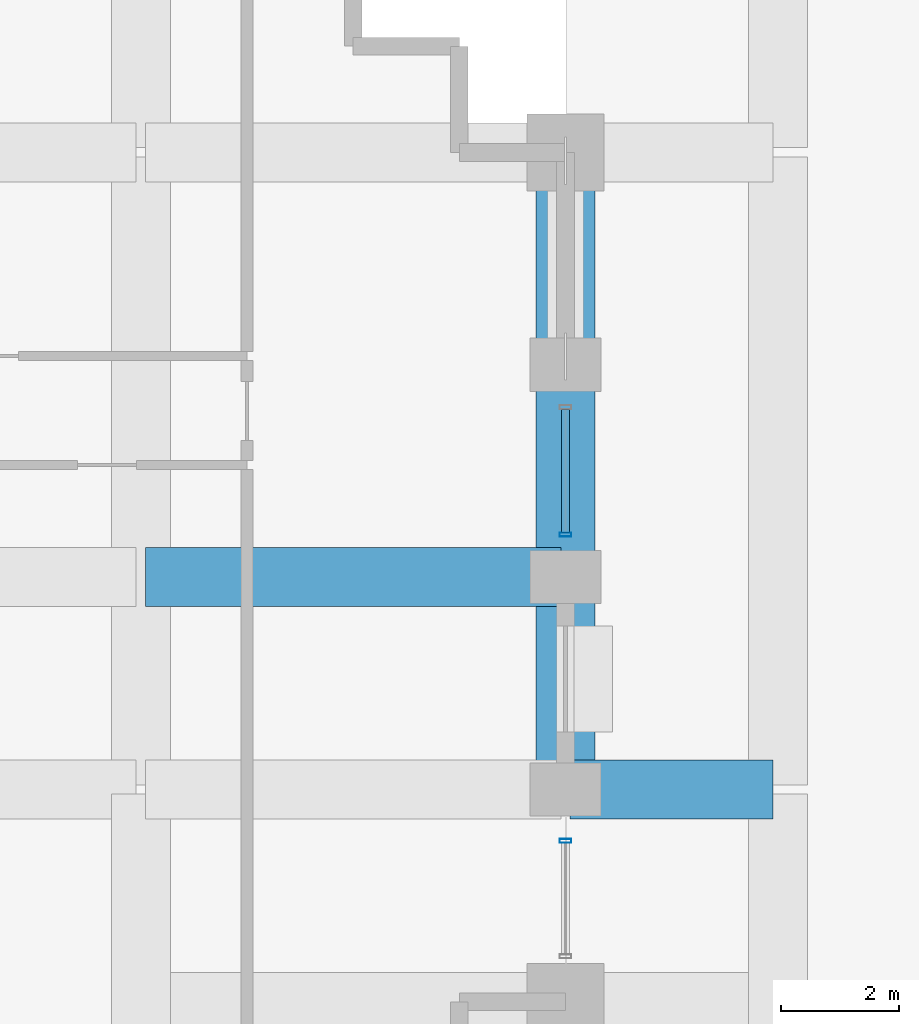
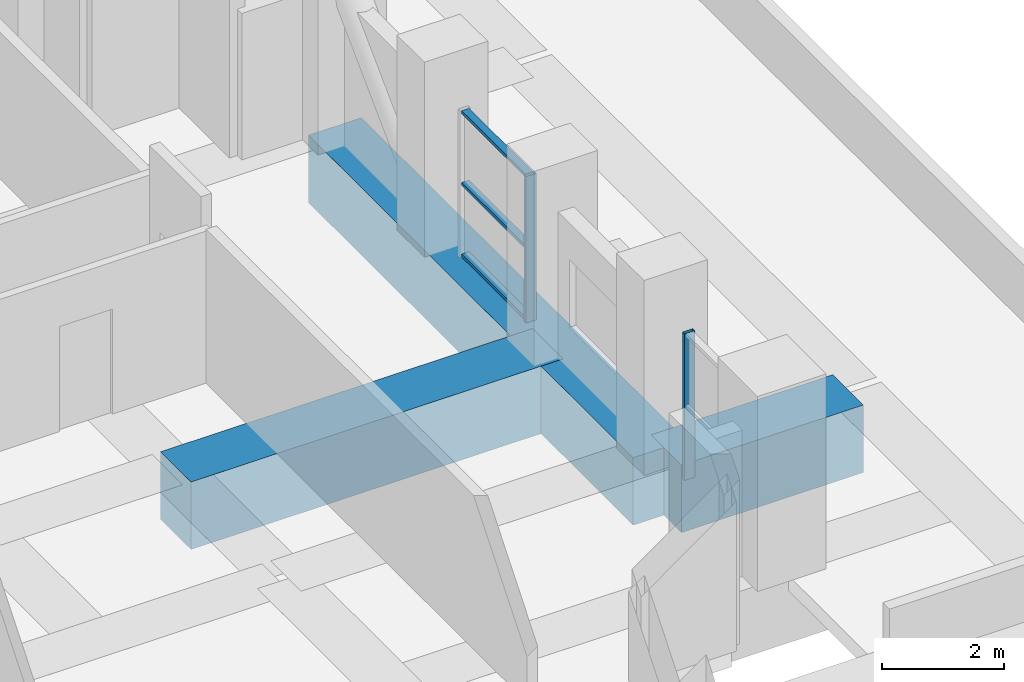
# One storey, part 15 of 39: 5 members, 3 beams, 2 elements without a shape of their own.
"""IFC4 building model written with IfcOpenShell, lengths in metres."""

from ifc_helpers import new_model, si_unit, direction, frame, origin, origin_2d, place, context, subcontext, project, spatial, rectangle, hollow_rectangle, extrude, material, layer, layer_set, material_profile, profile_set, type_object, element, aggregate, save


model = new_model("IFC4")

# Units and contexts
model_context = context("Model", 3, precision=1e-05, world=origin(), true_north=direction((0.0, 1.0)))
body_context = subcontext(model_context, "Body", "Model", "MODEL_VIEW")
ifc_project = project(units=[si_unit("LENGTHUNIT", "METRE"), si_unit("AREAUNIT", "SQUARE_METRE"), si_unit("VOLUMEUNIT", "CUBIC_METRE"), si_unit("PLANEANGLEUNIT", "RADIAN"), si_unit("MASSUNIT", "GRAM", prefix="KILO")], contexts=[model_context])

# Site, building, storey
site_placement = place(None, origin())
site = spatial("IfcSite", under=ifc_project, at=site_placement, CompositionType="ELEMENT")
building_placement = place(site_placement, origin())
building = spatial("IfcBuilding", under=site, at=building_placement, Name="Solnavia Interchange Tower", CompositionType="ELEMENT")
storey_placement = place(building_placement, frame((0.0, 0.0, 24.0)))
storey = spatial("IfcBuildingStorey", under=building, at=storey_placement, Name="L05", CompositionType="ELEMENT", Elevation=24.0)

# Beams
ifc_material_1 = material(Name="Concrete C60/75", Category="concrete")
ifc_material_profile_1 = material_profile(ifc_material_1, rectangle(XDim=1.0, YDim=1.35009765625, at=origin_2d()), Name="RC 1000x1350")
ifc_profile_set_1 = profile_set([ifc_material_profile_1], Name="Concrete C60/75")
beam_type = type_object("IfcBeamType", Name="Beam-Transfer-RC1000x1350", PredefinedType="BEAM", material=ifc_profile_set_1)
beam_1_placement = place(storey_placement, frame((61.280029296875, 10.800048828125, -0.675048828125), z_axis=(1.0, 0.0, 0.0), x_axis=(0.0, 1.0, 0.0)))
element("IfcBeam", 1, at=beam_1_placement, inside=storey, type_object=beam_type, Name="TRB-L05-12 East-south primary transfer girder", PredefinedType="BEAM", context=body_context, shape_type="SweptSolid", body=[
    extrude(rectangle(XDim=1.0, YDim=1.35009765625, at=origin_2d()), origin(), (0.0, 0.0, 1.0), 3.43994140625),
])
beam_2_placement = place(storey_placement, frame((61.199951171875, 10.8798828125, -0.675048828125), z_axis=(0.0, 1.0, 0.0), x_axis=(-1.0, 0.0, 0.0)))
element("IfcBeam", 2, at=beam_2_placement, inside=storey, type_object=beam_type, Name="TRB-L05-55 East tip N-S primary transfer girder", PredefinedType="BEAM", context=body_context, shape_type="SweptSolid", body=[
    extrude(rectangle(XDim=1.0, YDim=1.35009765625, at=origin_2d()), origin(), (0.0, 0.0, 1.0), 10.64013671875),
])
beam_3_placement = place(storey_placement, frame((54.080078125, 14.39990234375, -0.675048828125), z_axis=(1.0, 0.0, 0.0), x_axis=(0.0, 1.0, 0.0)))
element("IfcBeam", 3, at=beam_3_placement, inside=storey, type_object=beam_type, Name="TRB-L05-72 East spine transfer girder", PredefinedType="BEAM", context=body_context, shape_type="SweptSolid", body=[
    extrude(rectangle(XDim=1.0, YDim=1.35009765625, at=origin_2d()), origin(), (0.0, 0.0, 1.0), 7.0400390625),
])

# Curtain wall, member
ifc_material_2 = material(Name="Aluminium Alloy 6063-T6", Category="aluminium")
ifc_layer = layer(ifc_material_2, 0.219970703125)
ifc_layer_set = layer_set([ifc_layer], Name="Aluminium Alloy 6063-T6")
curtain_wall_type = type_object("IfcCurtainWallType", Name="CurtainWall-Tower-CTW3", PredefinedType="NOTDEFINED", material=ifc_layer_set)
curtain_wall_1_placement = place(storey_placement, origin())
curtain_wall_1 = element("IfcCurtainWall", 4, at=curtain_wall_1_placement, inside=storey, type_object=curtain_wall_type, Name="CTW-L05-S16 CTW-3 curtain wall", PredefinedType="NOTDEFINED")
ifc_material_profile_2 = material_profile(ifc_material_2, hollow_rectangle(XDim=0.070068359375, YDim=0.199951171875, WallThickness=0.0048828125, at=origin_2d()), Name="ALU 200x70x5")
ifc_profile_set_2 = profile_set([ifc_material_profile_2], Name="Aluminium Alloy 6063-T6")
member_type_1 = type_object("IfcMemberType", Name="CW-Mullion-CWM-3", PredefinedType="MULLION", material=ifc_profile_set_2)
member_1_placement = place(storey_placement, frame((61.199951171875, 9.929931640625, 0.0), z_axis=(0.0, 0.0, 1.0), x_axis=(0.0, 1.0, 0.0)))
member_1 = element("IfcMember", 5, at=member_1_placement, type_object=member_type_1, Name="CTW-3 mullion 2", PredefinedType="MULLION", context=body_context, shape_type="SweptSolid", body=[
    extrude(hollow_rectangle(XDim=0.070068359375, YDim=0.199951171875, WallThickness=0.0048828125, at=origin_2d()), origin(), (0.0, 0.0, 1.0), 2.929931640625),
])
aggregate(curtain_wall_1, [member_1])

# Curtain wall, members
curtain_wall_2_placement = place(storey_placement, origin())
curtain_wall_2 = element("IfcCurtainWall", 6, at=curtain_wall_2_placement, inside=storey, type_object=curtain_wall_type, Name="CTW-L05-S18 CTW-3 curtain wall", PredefinedType="NOTDEFINED")
member_2_placement = place(storey_placement, frame((61.199951171875, 15.1201171875, 0.0), z_axis=(0.0, 0.0, 1.0), x_axis=(0.0, 1.0, 0.0)))
member_2 = element("IfcMember", 7, at=member_2_placement, type_object=member_type_1, Name="CTW-3 mullion 1", PredefinedType="MULLION", context=body_context, shape_type="SweptSolid", body=[
    extrude(hollow_rectangle(XDim=0.070068359375, YDim=0.199951171875, WallThickness=0.0048828125, at=origin_2d()), origin(), (0.0, 0.0, 1.0), 2.929931640625),
])
ifc_material_profile_3 = material_profile(ifc_material_2, hollow_rectangle(XDim=0.06494140625, YDim=0.139892578125, WallThickness=0.00390625, at=origin_2d()), Name="ALU 140x65x4")
ifc_profile_set_3 = profile_set([ifc_material_profile_3], Name="Aluminium Alloy 6063-T6")
member_type_2 = type_object("IfcMemberType", Name="CW-Transom-CWT-3", PredefinedType="USERDEFINED", material=ifc_profile_set_3)
member_3_placement = place(storey_placement, frame((61.199951171875, 15.155029296875, 0.032470703125), z_axis=(0.0, 1.0, 0.0), x_axis=(0.0, 0.0, 1.0)))
member_3 = element("IfcMember", 8, at=member_3_placement, type_object=member_type_2, Name="CTW-3 transom 1.1", ObjectType="TRANSOM", PredefinedType="USERDEFINED", context=body_context, shape_type="SweptSolid", body=[
    extrude(hollow_rectangle(XDim=0.06494140625, YDim=0.139892578125, WallThickness=0.00390625, at=origin_2d()), origin(), (0.0, 0.0, 1.0), 2.090087890625),
])
member_4_placement = place(storey_placement, frame((61.199951171875, 15.155029296875, 1.465087890625), z_axis=(0.0, 1.0, 0.0), x_axis=(0.0, 0.0, 1.0)))
member_4 = element("IfcMember", 9, at=member_4_placement, type_object=member_type_2, Name="CTW-3 transom 1.2", ObjectType="TRANSOM", PredefinedType="USERDEFINED", context=body_context, shape_type="SweptSolid", body=[
    extrude(hollow_rectangle(XDim=0.06494140625, YDim=0.139892578125, WallThickness=0.00390625, at=origin_2d()), origin(), (0.0, 0.0, 1.0), 2.090087890625),
])
member_5_placement = place(storey_placement, frame((61.199951171875, 15.155029296875, 2.8974609375), z_axis=(0.0, 1.0, 0.0), x_axis=(0.0, 0.0, 1.0)))
member_5 = element("IfcMember", 10, at=member_5_placement, type_object=member_type_2, Name="CTW-3 transom 1.3", ObjectType="TRANSOM", PredefinedType="USERDEFINED", context=body_context, shape_type="SweptSolid", body=[
    extrude(hollow_rectangle(XDim=0.06494140625, YDim=0.139892578125, WallThickness=0.00390625, at=origin_2d()), origin(), (0.0, 0.0, 1.0), 2.090087890625),
])
aggregate(curtain_wall_2, [member_2, member_3, member_4, member_5])

save(model, "model.ifc")
